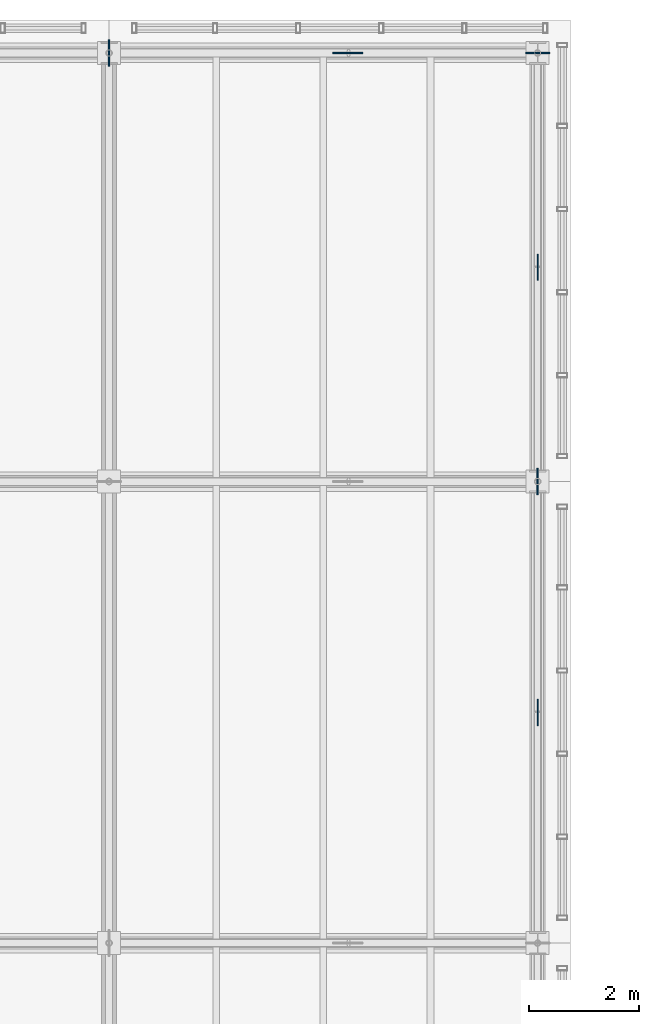
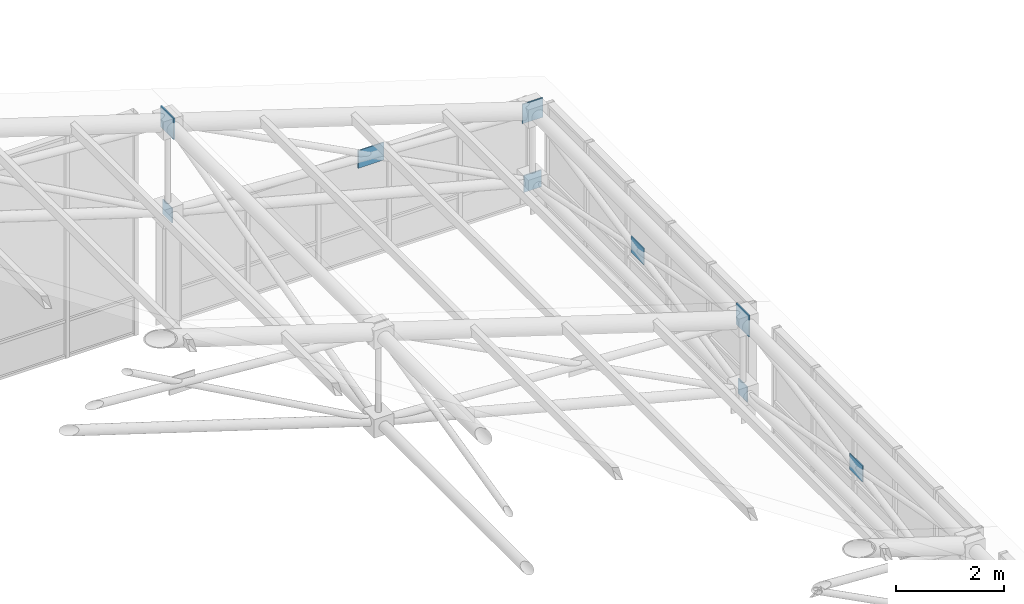
# One storey, part 130 of 144: 9 plates.
"""IFC4 building model written with IfcOpenShell, lengths in metres."""

from ifc_helpers import new_model, si_unit, direction, frame, origin, origin_2d, place, context, subcontext, project, spatial, rectangle, extrude, material, layer, layer_set, type_object, element, save


model = new_model("IFC4")

# Units and contexts
model_context = context("Model", 3, precision=1e-05, world=origin(), true_north=direction((0.0, 1.0)))
body_context = subcontext(model_context, "Body", "Model", "MODEL_VIEW")
ifc_project = project(units=[si_unit("LENGTHUNIT", "METRE"), si_unit("AREAUNIT", "SQUARE_METRE"), si_unit("VOLUMEUNIT", "CUBIC_METRE"), si_unit("PLANEANGLEUNIT", "RADIAN"), si_unit("MASSUNIT", "GRAM", prefix="KILO")], contexts=[model_context])

# Site, building, storey
site_placement = place(None, origin())
site = spatial("IfcSite", under=ifc_project, at=site_placement, CompositionType="ELEMENT")
building_placement = place(site_placement, origin())
building = spatial("IfcBuilding", under=site, at=building_placement, Name="Zayran Congress Hotel", CompositionType="ELEMENT")
storey_placement = place(building_placement, frame((0.0, 0.0, 19.199951171875)))
storey = spatial("IfcBuildingStorey", under=building, at=storey_placement, Name="L04", CompositionType="ELEMENT", Elevation=19.199951171875)

# Plates
ifc_material = material(Name="Steel S355", Category="steel")
ifc_layer_1 = layer(ifc_material, 0.02490234375)
ifc_layer_set_1 = layer_set([ifc_layer_1], Name="Steel S355")
plate_type_1 = type_object("IfcPlateType", Name="TP-SN-CP1", PredefinedType="USERDEFINED", material=ifc_layer_set_1)
plate_1_placement = place(storey_placement, frame((91.800048828125, 117.39990234375, 1.971435546875), z_axis=(0.0, 0.0, 1.0), x_axis=(1.0, 0.0, 0.0)))
element("IfcPlate", 1, at=plate_1_placement, inside=storey, type_object=plate_type_1, Name="Space Frame Node Cap Plate 77", ObjectType="GUSSET_PLATE", PredefinedType="USERDEFINED", context=body_context, shape_type="SweptSolid", body=[
    extrude(rectangle(XDim=0.43994140625, YDim=0.02490234375, at=origin_2d()), origin(), (0.0, 0.0, 1.0), 0.43994140625),
])
ifc_layer_2 = layer(ifc_material, 0.02490234375)
ifc_layer_set_2 = layer_set([ifc_layer_2], Name="Steel S355")
plate_type_2 = type_object("IfcPlateType", Name="TP-SN-CP2", PredefinedType="USERDEFINED", material=ifc_layer_set_2)
plate_2_placement = place(storey_placement, frame((91.800048828125, 117.39990234375, 0.41015625), z_axis=(0.0, 0.0, 1.0), x_axis=(1.0, 0.0, 0.0)))
element("IfcPlate", 2, at=plate_2_placement, inside=storey, type_object=plate_type_2, Name="Space Frame Node Cap Plate 154", ObjectType="GUSSET_PLATE", PredefinedType="USERDEFINED", context=body_context, shape_type="SweptSolid", body=[
    extrude(rectangle(XDim=0.3798828125, YDim=0.02490234375, at=origin_2d()), origin(), (0.0, 0.0, 1.0), 0.3798828125),
])
ifc_layer_3 = layer(ifc_material, 0.02001953125)
ifc_layer_set_3 = layer_set([ifc_layer_3], Name="Steel S355")
plate_type_3 = type_object("IfcPlateType", Name="TP-SN-CP3", PredefinedType="USERDEFINED", material=ifc_layer_set_3)
for number, where, z_axis, x_axis, name in (
    (3, (84.0, 117.39990234375, 2.47998046875), (0.0, 0.0, 1.0), (0.0, 1.0, 0.0), "Space Frame Node Cap Plate 147"),
    (4, (91.800048828125, 109.60009765625, 0.43017578125), (0.0, 0.0, 1.0), (0.0, 1.0, 0.0), "Space Frame Node Cap Plate 153"),
):
    element("IfcPlate", number, at=place(storey_placement, frame(where, z_axis=z_axis, x_axis=x_axis)), inside=storey, type_object=plate_type_3, Name=name, ObjectType="GUSSET_PLATE", PredefinedType="USERDEFINED", context=body_context, shape_type="SweptSolid", body=[
        extrude(rectangle(XDim=0.340087890625, YDim=0.02001953125, at=origin_2d()), origin(), (0.0, 0.0, 1.0), 0.340087890625),
    ])
ifc_layer_4 = layer(ifc_material, 0.028076171875)
ifc_layer_set_4 = layer_set([ifc_layer_4], Name="Steel S355")
plate_type_4 = type_object("IfcPlateType", Name="TP-SN-CP4", PredefinedType="USERDEFINED", material=ifc_layer_set_4)
for number, where, z_axis, x_axis, name in (
    (5, (84.0, 117.39990234375, 4.412109375), (0.0, 0.0, 1.0), (0.0, 1.0, 0.0), "Space Frame Node Cap Plate 70"),
    (6, (91.800048828125, 109.60009765625, 1.951416015625), (0.0, 0.0, 1.0), (0.0, 1.0, 0.0), "Space Frame Node Cap Plate 76"),
):
    element("IfcPlate", number, at=place(storey_placement, frame(where, z_axis=z_axis, x_axis=x_axis)), inside=storey, type_object=plate_type_4, Name=name, ObjectType="GUSSET_PLATE", PredefinedType="USERDEFINED", context=body_context, shape_type="SweptSolid", body=[
        extrude(rectangle(XDim=0.47998046875, YDim=0.028076171875, at=origin_2d()), origin(), (0.0, 0.0, 1.0), 0.47998046875),
    ])
ifc_layer_5 = layer(ifc_material, 0.02490234375)
ifc_layer_set_5 = layer_set([ifc_layer_5], Name="Steel S355")
plate_type_5 = type_object("IfcPlateType", Name="TP-GS-01", PredefinedType="USERDEFINED", material=ifc_layer_set_5)
plate_3_placement = place(storey_placement, frame((88.345703125, 117.39990234375, 2.194580078125), z_axis=(0.0, 0.0, 1.0), x_axis=(1.0, 0.0, 0.0)))
element("IfcPlate", 7, at=plate_3_placement, inside=storey, type_object=plate_type_5, Name="V1 Brace Crossing Gusset Plate 82", ObjectType="GUSSET_PLATE", PredefinedType="USERDEFINED", context=body_context, shape_type="SweptSolid", body=[
    extrude(rectangle(XDim=0.550048828125, YDim=0.02490234375, at=origin_2d()), origin(), (0.0, 0.0, 1.0), 0.39990234375),
])
ifc_layer_6 = layer(ifc_material, 0.02001953125)
ifc_layer_set_6 = layer_set([ifc_layer_6], Name="Steel S355")
plate_type_6 = type_object("IfcPlateType", Name="TP-GS-02", PredefinedType="USERDEFINED", material=ifc_layer_set_6)
for number, where, z_axis, x_axis, name in (
    (8, (91.800048828125, 105.39990234375, 1.2158203125), (0.0, 0.0, 1.0), (0.0, 1.0, 0.0), "V1 Brace Crossing Gusset Plate 87"),
    (9, (91.800048828125, 113.5, 1.2158203125), (0.0, 0.0, 1.0), (0.0, 1.0, 0.0), "V1 Brace Crossing Gusset Plate 88"),
):
    element("IfcPlate", number, at=place(storey_placement, frame(where, z_axis=z_axis, x_axis=x_axis)), inside=storey, type_object=plate_type_6, Name=name, ObjectType="GUSSET_PLATE", PredefinedType="USERDEFINED", context=body_context, shape_type="SweptSolid", body=[
        extrude(rectangle(XDim=0.47998046875, YDim=0.02001953125, at=origin_2d()), origin(), (0.0, 0.0, 1.0), 0.360107421875),
    ])

save(model, "model.ifc")
